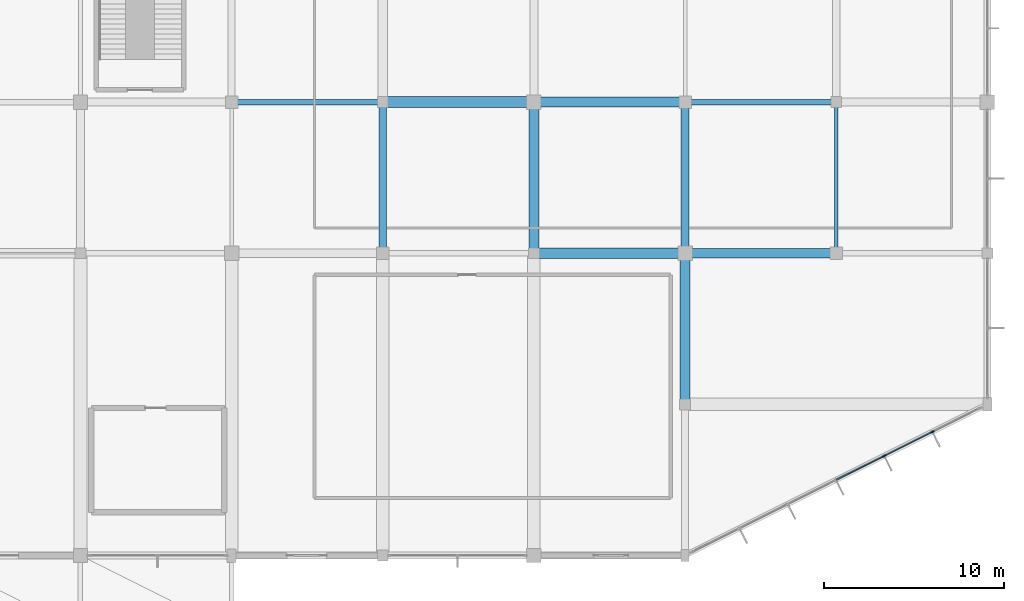
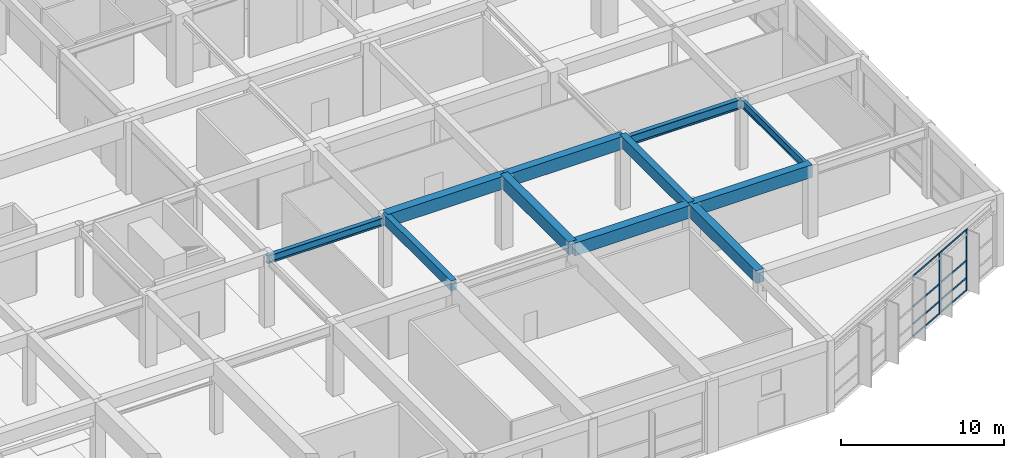
# One storey, part 28 of 62: 11 beams, 10 members, 1 element without a shape of its own.
"""IFC4 building model written with IfcOpenShell, lengths in metres."""

from ifc_helpers import new_model, si_unit, direction, frame, origin, origin_2d, place, context, subcontext, project, spatial, rectangle, i_section, extrude, material, material_profile, profile_set, type_object, element, aggregate, save


model = new_model("IFC4")

# Units and contexts
model_context = context("Model", 3, precision=1e-05, world=origin(), true_north=direction((0.0, 1.0)))
body_context = subcontext(model_context, "Body", "Model", "MODEL_VIEW")
ifc_project = project(units=[si_unit("LENGTHUNIT", "METRE"), si_unit("AREAUNIT", "SQUARE_METRE"), si_unit("VOLUMEUNIT", "CUBIC_METRE"), si_unit("PLANEANGLEUNIT", "RADIAN"), si_unit("MASSUNIT", "GRAM", prefix="KILO")], contexts=[model_context])

# Site, building, storey
site_placement = place(None, origin())
site = spatial("IfcSite", under=ifc_project, at=site_placement, CompositionType="ELEMENT")
building_placement = place(site_placement, origin())
building = spatial("IfcBuilding", under=site, at=building_placement, Name="Xuanlan Plaza Opera House", CompositionType="ELEMENT")
storey_placement = place(building_placement, origin())
storey = spatial("IfcBuildingStorey", under=building, at=storey_placement, Name="L00", CompositionType="ELEMENT", Elevation=0.0)

# Curtain wall, members
ifc_material_1 = material(Name="Anodised Aluminium 6063-T6 and Low-E Glass", Category="aluminium")
curtain_wall_type = type_object("IfcCurtainWallType", Name="ENV-CW-CW-03", PredefinedType="USERDEFINED", material=ifc_material_1)
curtain_wall_placement = place(storey_placement, origin())
curtain_wall = element("IfcCurtainWall", 1, at=curtain_wall_placement, inside=storey, type_object=curtain_wall_type, Name="Unitised Curtain Wall L00-017", ObjectType="UNITISED CURTAIN WALL", PredefinedType="USERDEFINED")
ifc_material_2 = material(Name="Anodised Aluminium 6063-T6", Category="aluminium")
ifc_material_profile_1 = material_profile(ifc_material_2, rectangle(XDim=0.080078125, YDim=0.219970703125, at=origin_2d()), Name="ALU-M 80x220")
ifc_profile_set_1 = profile_set([ifc_material_profile_1], Name="Anodised Aluminium 6063-T6")
member_type_1 = type_object("IfcMemberType", Name="ENV-CWM-04", PredefinedType="MULLION", material=ifc_profile_set_1)
member_1_placement = place(storey_placement, frame((162.2666015625, 5.533203125, 0.0), z_axis=(0.0, 0.0, 1.0), x_axis=(-0.447213595499, 0.894427191001, 0.0)))
member_1 = element("IfcMember", 2, at=member_1_placement, type_object=member_type_1, Name="CW-03 mullion 5", PredefinedType="MULLION", context=body_context, shape_type="SweptSolid", body=[
    extrude(rectangle(XDim=0.080078125, YDim=0.219970703125, at=origin_2d()), origin(), (0.0, 0.0, 1.0), 4.580078125),
])
member_2_placement = place(storey_placement, frame((164.94580078125, 6.872802734375, 0.0), z_axis=(0.0, 0.0, 1.0), x_axis=(-0.447213595499, 0.894427191001, 0.0)))
member_2 = element("IfcMember", 3, at=member_2_placement, type_object=member_type_1, Name="CW-03 mullion 6", PredefinedType="MULLION", context=body_context, shape_type="SweptSolid", body=[
    extrude(rectangle(XDim=0.080078125, YDim=0.219970703125, at=origin_2d()), origin(), (0.0, 0.0, 1.0), 4.580078125),
])
ifc_material_profile_2 = material_profile(ifc_material_2, rectangle(XDim=0.06494140625, YDim=0.1201171875, at=origin_2d()), Name="ALU-T 65x120")
ifc_profile_set_2 = profile_set([ifc_material_profile_2], Name="Anodised Aluminium 6063-T6")
member_type_2 = type_object("IfcMemberType", Name="ENV-CWT-01", PredefinedType="USERDEFINED", material=ifc_profile_set_2)
member_3_placement = place(storey_placement, frame((159.623291015625, 4.211669921875, 0.032470703125), z_axis=(0.894427191, 0.4472135955, 0.0), x_axis=(-0.4472135955, 0.894427191, 0.0)))
member_3 = element("IfcMember", 4, at=member_3_placement, type_object=member_type_2, Name="CW-03 transom 4.1", ObjectType="TRANSOM", PredefinedType="USERDEFINED", context=body_context, shape_type="SweptSolid", body=[
    extrude(rectangle(XDim=0.06494140625, YDim=0.1201171875, at=origin_2d()), origin(), (0.0, 0.0, 1.0), 2.915283203125),
])
member_4_placement = place(storey_placement, frame((159.623291015625, 4.211669921875, 0.949951171875), z_axis=(0.894427191, 0.4472135955, 0.0), x_axis=(-0.4472135955, 0.894427191, 0.0)))
member_4 = element("IfcMember", 5, at=member_4_placement, type_object=member_type_2, Name="CW-03 transom 4.2", ObjectType="TRANSOM", PredefinedType="USERDEFINED", context=body_context, shape_type="SweptSolid", body=[
    extrude(rectangle(XDim=0.06494140625, YDim=0.1201171875, at=origin_2d()), origin(), (0.0, 0.0, 1.0), 2.915283203125),
])
member_5_placement = place(storey_placement, frame((159.623291015625, 4.211669921875, 2.25), z_axis=(0.894427191, 0.4472135955, 0.0), x_axis=(-0.4472135955, 0.894427191, 0.0)))
member_5 = element("IfcMember", 6, at=member_5_placement, type_object=member_type_2, Name="CW-03 transom 4.3", ObjectType="TRANSOM", PredefinedType="USERDEFINED", context=body_context, shape_type="SweptSolid", body=[
    extrude(rectangle(XDim=0.06494140625, YDim=0.1201171875, at=origin_2d()), origin(), (0.0, 0.0, 1.0), 2.915283203125),
])
member_6_placement = place(storey_placement, frame((159.623291015625, 4.211669921875, 4.547607421875), z_axis=(0.894427191, 0.4472135955, 0.0), x_axis=(-0.4472135955, 0.894427191, 0.0)))
member_6 = element("IfcMember", 7, at=member_6_placement, type_object=member_type_2, Name="CW-03 transom 4.4", ObjectType="TRANSOM", PredefinedType="USERDEFINED", context=body_context, shape_type="SweptSolid", body=[
    extrude(rectangle(XDim=0.06494140625, YDim=0.1201171875, at=origin_2d()), origin(), (0.0, 0.0, 1.0), 2.915283203125),
])
member_7_placement = place(storey_placement, frame((162.302490234375, 5.55126953125, 0.032470703125), z_axis=(0.894427191, 0.4472135955, 0.0), x_axis=(-0.4472135955, 0.894427191, 0.0)))
member_7 = element("IfcMember", 8, at=member_7_placement, type_object=member_type_2, Name="CW-03 transom 5.1", ObjectType="TRANSOM", PredefinedType="USERDEFINED", context=body_context, shape_type="SweptSolid", body=[
    extrude(rectangle(XDim=0.06494140625, YDim=0.1201171875, at=origin_2d()), origin(), (0.0, 0.0, 1.0), 2.915283203125),
])
member_8_placement = place(storey_placement, frame((162.302490234375, 5.55126953125, 0.949951171875), z_axis=(0.894427191, 0.4472135955, 0.0), x_axis=(-0.4472135955, 0.894427191, 0.0)))
member_8 = element("IfcMember", 9, at=member_8_placement, type_object=member_type_2, Name="CW-03 transom 5.2", ObjectType="TRANSOM", PredefinedType="USERDEFINED", context=body_context, shape_type="SweptSolid", body=[
    extrude(rectangle(XDim=0.06494140625, YDim=0.1201171875, at=origin_2d()), origin(), (0.0, 0.0, 1.0), 2.915283203125),
])
member_9_placement = place(storey_placement, frame((162.302490234375, 5.55126953125, 2.25), z_axis=(0.894427191, 0.4472135955, 0.0), x_axis=(-0.4472135955, 0.894427191, 0.0)))
member_9 = element("IfcMember", 10, at=member_9_placement, type_object=member_type_2, Name="CW-03 transom 5.3", ObjectType="TRANSOM", PredefinedType="USERDEFINED", context=body_context, shape_type="SweptSolid", body=[
    extrude(rectangle(XDim=0.06494140625, YDim=0.1201171875, at=origin_2d()), origin(), (0.0, 0.0, 1.0), 2.915283203125),
])
member_10_placement = place(storey_placement, frame((162.302490234375, 5.55126953125, 4.547607421875), z_axis=(0.894427191, 0.4472135955, 0.0), x_axis=(-0.4472135955, 0.894427191, 0.0)))
member_10 = element("IfcMember", 11, at=member_10_placement, type_object=member_type_2, Name="CW-03 transom 5.4", ObjectType="TRANSOM", PredefinedType="USERDEFINED", context=body_context, shape_type="SweptSolid", body=[
    extrude(rectangle(XDim=0.06494140625, YDim=0.1201171875, at=origin_2d()), origin(), (0.0, 0.0, 1.0), 2.915283203125),
])
aggregate(curtain_wall, [member_1, member_2, member_3, member_4, member_5, member_6, member_7, member_8, member_9, member_10])

# Beams
ifc_material_3 = material(Name="Concrete C50", Category="concrete")
ifc_material_profile_3 = material_profile(ifc_material_3, rectangle(XDim=0.60009765625, YDim=0.949951171875, at=origin_2d()), Name="RC-BM 600x950")
ifc_profile_set_3 = profile_set([ifc_material_profile_3], Name="Concrete C50")
beam_type_1 = type_object("IfcBeamType", Name="STR-BM-B-01", PredefinedType="BEAM", material=ifc_profile_set_3)
beam_1_placement = place(storey_placement, frame((142.800048828125, 16.800048828125, 4.925048828125), z_axis=(1.0, 0.0, 0.0), x_axis=(0.0, 1.0, 0.0)))
element("IfcBeam", 12, at=beam_1_placement, inside=storey, type_object=beam_type_1, Name="Grid Beam X L00 18-19/C", PredefinedType="BEAM", context=body_context, shape_type="SweptSolid", body=[
    extrude(rectangle(XDim=0.60009765625, YDim=0.949951171875, at=origin_2d()), origin(), (0.0, 0.0, 1.0), 8.39990234375),
])
beam_2_placement = place(storey_placement, frame((134.39990234375, 25.199951171875, 4.925048828125), z_axis=(1.0, 0.0, 0.0), x_axis=(0.0, 1.0, 0.0)))
element("IfcBeam", 13, at=beam_2_placement, inside=storey, type_object=beam_type_1, Name="Grid Beam X L00 17-18/D", PredefinedType="BEAM", context=body_context, shape_type="SweptSolid", body=[
    extrude(rectangle(XDim=0.60009765625, YDim=0.949951171875, at=origin_2d()), origin(), (0.0, 0.0, 1.0), 8.400146484375),
])
ifc_material_profile_4 = material_profile(ifc_material_3, rectangle(XDim=0.550048828125, YDim=0.949951171875, at=origin_2d()), Name="RC-BM 550x950")
ifc_profile_set_4 = profile_set([ifc_material_profile_4], Name="Concrete C50")
beam_type_2 = type_object("IfcBeamType", Name="STR-BM-B-02", PredefinedType="BEAM", material=ifc_profile_set_4)
beam_3_placement = place(storey_placement, frame((151.199951171875, 16.800048828125, 4.925048828125), z_axis=(1.0, 0.0, 0.0), x_axis=(0.0, 1.0, 0.0)))
element("IfcBeam", 14, at=beam_3_placement, inside=storey, type_object=beam_type_2, Name="Grid Beam X L00 19-20/C", PredefinedType="BEAM", context=body_context, shape_type="SweptSolid", body=[
    extrude(rectangle(XDim=0.550048828125, YDim=0.949951171875, at=origin_2d()), origin(), (0.0, 0.0, 1.0), 8.400146484375),
])
for number, where, z_axis, x_axis, name in (
    (15, (142.800048828125, 25.199951171875, 4.925048828125), (1.0, 0.0, 0.0), (0.0, 1.0, 0.0), "Grid Beam X L00 18-19/D"),
    (16, (142.800048828125, 16.800048828125, 4.925048828125), (0.0, 1.0, 0.0), (-1.0, 0.0, 0.0), "Grid Beam Y L00 18/C-D"),
):
    element("IfcBeam", number, at=place(storey_placement, frame(where, z_axis=z_axis, x_axis=x_axis)), inside=storey, type_object=beam_type_2, Name=name, PredefinedType="BEAM", context=body_context, shape_type="SweptSolid", body=[
        extrude(rectangle(XDim=0.550048828125, YDim=0.949951171875, at=origin_2d()), origin(), (0.0, 0.0, 1.0), 8.39990234375),
    ])
beam_4_placement = place(storey_placement, frame((151.199951171875, 8.39990234375, 4.925048828125), z_axis=(0.0, 1.0, 0.0), x_axis=(-1.0, 0.0, 0.0)))
element("IfcBeam", 17, at=beam_4_placement, inside=storey, type_object=beam_type_2, Name="Grid Beam Y L00 19/B-C", PredefinedType="BEAM", context=body_context, shape_type="SweptSolid", body=[
    extrude(rectangle(XDim=0.550048828125, YDim=0.949951171875, at=origin_2d()), origin(), (0.0, 0.0, 1.0), 8.400146484375),
])
ifc_material_4 = material(Name="Concrete C40", Category="concrete")
ifc_material_profile_5 = material_profile(ifc_material_4, rectangle(XDim=0.449951171875, YDim=0.85009765625, at=origin_2d()), Name="RC-BM 450x850")
ifc_profile_set_5 = profile_set([ifc_material_profile_5], Name="Concrete C40")
beam_type_3 = type_object("IfcBeamType", Name="STR-BM-B-04", PredefinedType="BEAM", material=ifc_profile_set_5)
beam_5_placement = place(storey_placement, frame((151.199951171875, 16.800048828125, 4.97509765625), z_axis=(0.0, 1.0, 0.0), x_axis=(-1.0, 0.0, 0.0)))
element("IfcBeam", 18, at=beam_5_placement, inside=storey, type_object=beam_type_3, Name="Grid Beam Y L00 19/C-D", PredefinedType="BEAM", context=body_context, shape_type="SweptSolid", body=[
    extrude(rectangle(XDim=0.449951171875, YDim=0.85009765625, at=origin_2d()), origin(), (0.0, 0.0, 1.0), 8.39990234375),
])
ifc_material_profile_6 = material_profile(ifc_material_4, rectangle(XDim=0.39990234375, YDim=0.75, at=origin_2d()), Name="RC-BM 400x750")
ifc_profile_set_6 = profile_set([ifc_material_profile_6], Name="Concrete C40")
beam_type_4 = type_object("IfcBeamType", Name="STR-BM-B-06", PredefinedType="BEAM", material=ifc_profile_set_6)
beam_6_placement = place(storey_placement, frame((134.39990234375, 16.800048828125, 5.02490234375), z_axis=(0.0, 1.0, 0.0), x_axis=(-1.0, 0.0, 0.0)))
element("IfcBeam", 19, at=beam_6_placement, inside=storey, type_object=beam_type_4, Name="Grid Beam Y L00 17/C-D", PredefinedType="BEAM", context=body_context, shape_type="SweptSolid", body=[
    extrude(rectangle(XDim=0.39990234375, YDim=0.75, at=origin_2d()), origin(), (0.0, 0.0, 1.0), 8.39990234375),
])
ifc_material_5 = material(Name="Steel Q355B", Category="steel")
ifc_material_profile_7 = material_profile(ifc_material_5, i_section(OverallWidth=0.300048828125, OverallDepth=0.699951171875, WebThickness=0.012939453125, FlangeThickness=0.02392578125, FilletRadius=0.02392578125, at=origin_2d()), Name="HN 700x300x13x24")
ifc_profile_set_7 = profile_set([ifc_material_profile_7], Name="Steel Q355B")
beam_type_5 = type_object("IfcBeamType", Name="STR-BM-SB-03", PredefinedType="BEAM", material=ifc_profile_set_7)
beam_7_placement = place(storey_placement, frame((151.199951171875, 25.199951171875, 4.784912109375), z_axis=(1.0, 0.0, 0.0), x_axis=(0.0, 1.0, 0.0)))
element("IfcBeam", 20, at=beam_7_placement, inside=storey, type_object=beam_type_5, Name="Grid Beam X L00 19-20/D", PredefinedType="BEAM", context=body_context, shape_type="SweptSolid", body=[
    extrude(i_section(OverallWidth=0.300048828125, OverallDepth=0.699951171875, WebThickness=0.012939453125, FlangeThickness=0.02392578125, FilletRadius=0.02392578125, at=origin_2d()), origin(), (0.0, 0.0, 1.0), 8.400146484375),
])
ifc_material_profile_8 = material_profile(ifc_material_5, i_section(OverallWidth=0.199951171875, OverallDepth=0.60009765625, WebThickness=0.010986328125, FlangeThickness=0.01708984375, FilletRadius=0.02197265625, at=origin_2d()), Name="HN 600x200x11x17")
ifc_profile_set_8 = profile_set([ifc_material_profile_8], Name="Steel Q355B")
beam_type_6 = type_object("IfcBeamType", Name="STR-BM-SB-04", PredefinedType="BEAM", material=ifc_profile_set_8)
beam_8_placement = place(storey_placement, frame((159.60009765625, 16.800048828125, 4.8349609375), z_axis=(0.0, 1.0, 0.0), x_axis=(-1.0, 0.0, 0.0)))
element("IfcBeam", 21, at=beam_8_placement, inside=storey, type_object=beam_type_6, Name="Grid Beam Y L00 20/C-D", PredefinedType="BEAM", context=body_context, shape_type="SweptSolid", body=[
    extrude(i_section(OverallWidth=0.199951171875, OverallDepth=0.60009765625, WebThickness=0.010986328125, FlangeThickness=0.01708984375, FilletRadius=0.02197265625, at=origin_2d()), origin(), (0.0, 0.0, 1.0), 8.39990234375),
])
ifc_material_profile_9 = material_profile(ifc_material_5, i_section(OverallWidth=0.300048828125, OverallDepth=0.587890625, WebThickness=0.011962890625, FlangeThickness=0.02001953125, FilletRadius=0.02392578125, at=origin_2d()), Name="HM 588x300x12x20")
ifc_profile_set_9 = profile_set([ifc_material_profile_9], Name="Steel Q355B")
beam_type_7 = type_object("IfcBeamType", Name="STR-BM-SB-06", PredefinedType="BEAM", material=ifc_profile_set_9)
beam_9_placement = place(storey_placement, frame((126.0, 25.199951171875, 4.841064453125), z_axis=(1.0, 0.0, 0.0), x_axis=(0.0, 1.0, 0.0)))
element("IfcBeam", 22, at=beam_9_placement, inside=storey, type_object=beam_type_7, Name="Grid Beam X L00 16-17/D", PredefinedType="BEAM", context=body_context, shape_type="SweptSolid", body=[
    extrude(i_section(OverallWidth=0.300048828125, OverallDepth=0.587890625, WebThickness=0.011962890625, FlangeThickness=0.02001953125, FilletRadius=0.02392578125, at=origin_2d()), origin(), (0.0, 0.0, 1.0), 8.39990234375),
])

save(model, "model.ifc")
